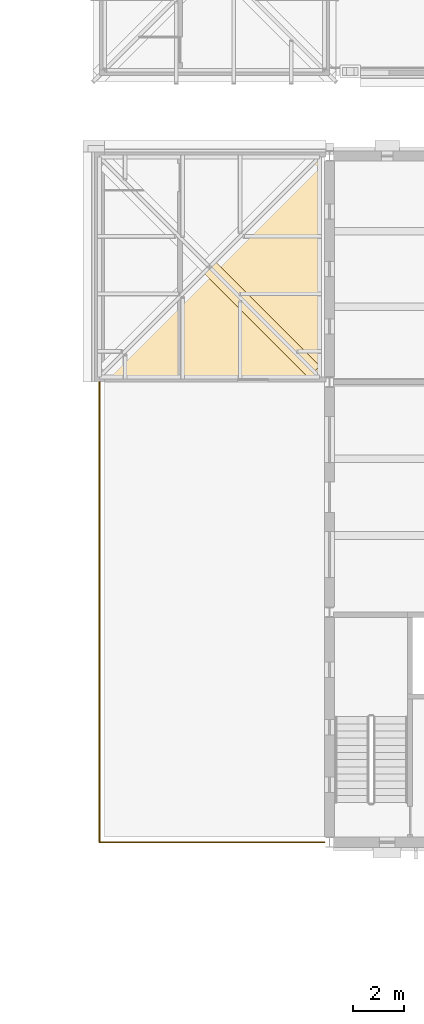
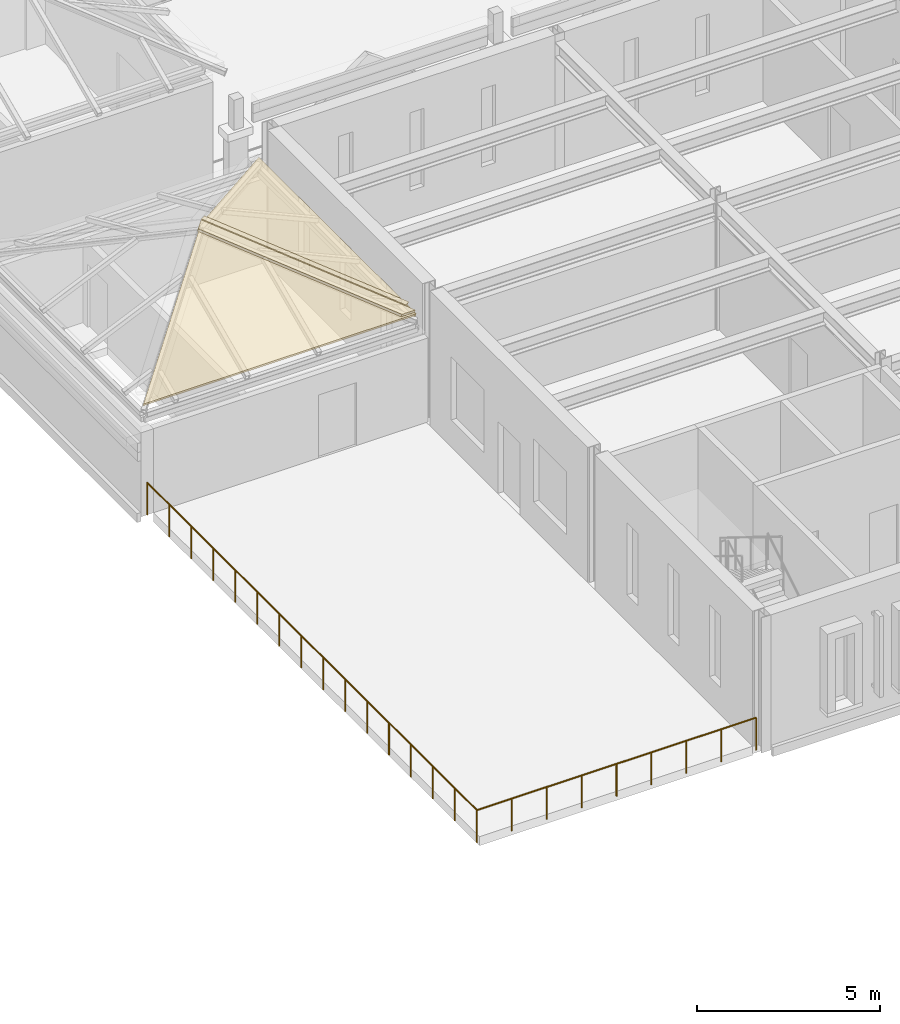
# One storey, part 131 of 149: 4 coverings, 1 railing.
"""IFC4 building model written with IfcOpenShell, lengths in metres."""

from ifc_helpers import new_model, si_unit, direction, frame, origin, origin_2d, place, context, subcontext, project, spatial, polyline, circle, outline, extrude, material, layer, layer_set, type_object, element, save


model = new_model("IFC4")

# Units and contexts
model_context = context("Model", 3, precision=1e-05, world=origin(), true_north=direction((0.0, 1.0)))
body_context = subcontext(model_context, "Body", "Model", "MODEL_VIEW")
ifc_project = project(units=[si_unit("LENGTHUNIT", "METRE"), si_unit("AREAUNIT", "SQUARE_METRE"), si_unit("VOLUMEUNIT", "CUBIC_METRE"), si_unit("PLANEANGLEUNIT", "RADIAN"), si_unit("MASSUNIT", "GRAM", prefix="KILO")], contexts=[model_context])

# Site, building, storey
site_placement = place(None, origin())
site = spatial("IfcSite", under=ifc_project, at=site_placement, CompositionType="ELEMENT")
building_placement = place(site_placement, origin())
building = spatial("IfcBuilding", under=site, at=building_placement, Name="Kallimachos Central Library", CompositionType="ELEMENT")
storey_placement = place(building_placement, frame((0.0, 0.0, 9.89990234375)))
storey = spatial("IfcBuildingStorey", under=building, at=storey_placement, Name="L02", CompositionType="ELEMENT", Elevation=9.89990234375)

# Coverings
ifc_material_1 = material(Name="Glazed ceramic hip tile")
ifc_layer_1 = layer(ifc_material_1, 0.1201171875)
ifc_layer_set_1 = layer_set([ifc_layer_1], Name="Ceramic hip tile 300")
covering_type_1 = type_object("IfcCoveringType", Name="Ceramic hip tile 300", PredefinedType="MOLDING", material=ifc_layer_set_1)
covering_1_placement = place(storey_placement, frame((74.07177734375, 36.199951171875, 3.705078125), z_axis=(-2.580462e-05, -0.406756499333, 0.913536616444), x_axis=(-0.999999999667, 1.0496197e-05, -2.3573465e-05)))
element("IfcCovering", 1, at=covering_1_placement, inside=storey, type_object=covering_type_1, Name="West stair hipped roof hip tile", PredefinedType="MOLDING", context=body_context, shape_type="SweptSolid", body=[
    extrude(outline(polyline([(0.0, 0.0), (0.42431640610872845, -7.1881995230858105e-22), (4.498046876497577, -4.459244634183463), (4.2858886730193975, -4.691490260464879), (0.0, 0.0)])), origin(), (0.0, 0.0, -1.0), 0.1201171875),
])
covering_2_placement = place(storey_placement, frame((69.814208984375, 40.51416015625, 5.61328125), z_axis=(0.40674004201, 4.081446e-06, 0.913543944323), x_axis=(0.674481848932, 0.674456322073, -0.300304687072)))
element("IfcCovering", 2, at=covering_2_placement, inside=storey, type_object=covering_type_1, Name="West stair hipped roof hip tile", PredefinedType="MOLDING", context=body_context, shape_type="SweptSolid", body=[
    extrude(outline(polyline([(0.0, 0.0), (0.3145618126220616, -3.469446951953614e-18), (0.8593346303551627, -6.015261027560015), (0.840233816546465, -6.0361703319944), (0.5466794101212162, -6.036181738389003), (0.0, 0.0)])), origin(), (0.0, 0.0, -1.0), 0.1201171875),
])
ifc_material_2 = material(Name="Glazed ceramic tile on deck")
ifc_layer_2 = layer(ifc_material_2, 0.10009765625)
ifc_layer_set_2 = layer_set([ifc_layer_2], Name="Glazed ceramic tile roofing 100")
covering_type_2 = type_object("IfcCoveringType", Name="Glazed ceramic tile roofing 100", PredefinedType="ROOFING", material=ifc_layer_set_2)
for number, where, z_axis, x_axis, name in (
    (3, (65.5, 36.199951171875, 3.57373046875), (0.0, -0.406744744862, 0.913541850452), (1.0, 0.0, 0.0), "West stair hipped roof roofing S"),
    (4, (74.10009765625, 36.199951171875, 3.57373046875), (0.406744744862, 0.0, 0.913541850452), (0.0, 1.0, 0.0), "West stair hipped roof roofing E"),
):
    element("IfcCovering", number, at=place(storey_placement, frame(where, z_axis=z_axis, x_axis=x_axis)), inside=storey, type_object=covering_type_2, Name=name, PredefinedType="ROOFING", context=body_context, shape_type="SweptSolid", body=[
        extrude(outline(polyline([(0.0, 0.0), (8.60009765625, 0.0), (4.300048828125, 4.707008032523863), (0.0, 0.0)])), origin(), (0.0, 0.0, -1.0), 0.10009765625),
    ])

# Railing
ifc_material_3 = material(Name="Steel S355J2", Category="steel")
railing_type = type_object("IfcRailingType", Name="Wrought-iron guard 1100", PredefinedType="GUARDRAIL", material=ifc_material_3)
railing_placement = place(storey_placement, frame((65.5, 36.0, 0.0)))
element("IfcRailing", 5, at=railing_placement, inside=storey, type_object=railing_type, Name="West roof garden guard", PredefinedType="GUARDRAIL", context=body_context, shape_type="SweptSolid", body=[
    extrude(circle(Radius=0.02392578125, at=origin_2d()), frame((0.0, 0.0, 1.076171875), z_axis=(0.0, -1.0, 0.0), x_axis=(1.0, 0.0, 0.0)), (0.0, 0.0, 1.0), 18.0),
    extrude(circle(Radius=0.02392578125, at=origin_2d()), frame((0.0, -18.0, 1.076171875), z_axis=(1.0, 0.0, 0.0), x_axis=(0.0, 1.0, 0.0)), (0.0, 0.0, 1.0), 8.800048828125),
    extrude(circle(Radius=0.02099609375, at=origin_2d()), origin(), (0.0, 0.0, 1.0), 1.052001953125),
    extrude(circle(Radius=0.02099609375, at=origin_2d()), frame((0.0, -1.199951171875, 0.0)), (0.0, 0.0, 1.0), 1.052001953125),
    extrude(circle(Radius=0.02099609375, at=origin_2d()), frame((0.0, -2.39990234375, 0.0)), (0.0, 0.0, 1.0), 1.052001953125),
    extrude(circle(Radius=0.02099609375, at=origin_2d()), frame((0.0, -3.60009765625, 0.0)), (0.0, 0.0, 1.0), 1.052001953125),
    extrude(circle(Radius=0.02099609375, at=origin_2d()), frame((0.0, -4.800048828125, 0.0)), (0.0, 0.0, 1.0), 1.052001953125),
    extrude(circle(Radius=0.02099609375, at=origin_2d()), frame((0.0, -6.0, 0.0)), (0.0, 0.0, 1.0), 1.052001953125),
    extrude(circle(Radius=0.02099609375, at=origin_2d()), frame((0.0, -7.199951171875, 0.0)), (0.0, 0.0, 1.0), 1.052001953125),
    extrude(circle(Radius=0.02099609375, at=origin_2d()), frame((0.0, -8.39990234375, 0.0)), (0.0, 0.0, 1.0), 1.052001953125),
    extrude(circle(Radius=0.02099609375, at=origin_2d()), frame((0.0, -9.60009765625, 0.0)), (0.0, 0.0, 1.0), 1.052001953125),
    extrude(circle(Radius=0.02099609375, at=origin_2d()), frame((0.0, -10.800048828125, 0.0)), (0.0, 0.0, 1.0), 1.052001953125),
    extrude(circle(Radius=0.02099609375, at=origin_2d()), frame((0.0, -12.0, 0.0)), (0.0, 0.0, 1.0), 1.052001953125),
    extrude(circle(Radius=0.02099609375, at=origin_2d()), frame((0.0, -13.199951171875, 0.0)), (0.0, 0.0, 1.0), 1.052001953125),
    extrude(circle(Radius=0.02099609375, at=origin_2d()), frame((0.0, -14.39990234375, 0.0)), (0.0, 0.0, 1.0), 1.052001953125),
    extrude(circle(Radius=0.02099609375, at=origin_2d()), frame((0.0, -15.60009765625, 0.0)), (0.0, 0.0, 1.0), 1.052001953125),
    extrude(circle(Radius=0.02099609375, at=origin_2d()), frame((0.0, -16.800048828125, 0.0)), (0.0, 0.0, 1.0), 1.052001953125),
    extrude(circle(Radius=0.02099609375, at=origin_2d()), frame((0.0, -18.0, 0.0)), (0.0, 0.0, 1.0), 1.052001953125),
    extrude(circle(Radius=0.02099609375, at=origin_2d()), frame((1.10009765625, -18.0, 0.0)), (0.0, 0.0, 1.0), 1.052001953125),
    extrude(circle(Radius=0.02099609375, at=origin_2d()), frame((2.199951171875, -18.0, 0.0)), (0.0, 0.0, 1.0), 1.052001953125),
    extrude(circle(Radius=0.02099609375, at=origin_2d()), frame((3.300048828125, -18.0, 0.0)), (0.0, 0.0, 1.0), 1.052001953125),
    extrude(circle(Radius=0.02099609375, at=origin_2d()), frame((4.39990234375, -18.0, 0.0)), (0.0, 0.0, 1.0), 1.052001953125),
    extrude(circle(Radius=0.02099609375, at=origin_2d()), frame((5.5, -18.0, 0.0)), (0.0, 0.0, 1.0), 1.052001953125),
    extrude(circle(Radius=0.02099609375, at=origin_2d()), frame((6.60009765625, -18.0, 0.0)), (0.0, 0.0, 1.0), 1.052001953125),
    extrude(circle(Radius=0.02099609375, at=origin_2d()), frame((7.699951171875, -18.0, 0.0)), (0.0, 0.0, 1.0), 1.052001953125),
    extrude(circle(Radius=0.02099609375, at=origin_2d()), frame((8.800048828125, -18.0, 0.0)), (0.0, 0.0, 1.0), 1.052001953125),
])

save(model, "model.ifc")
